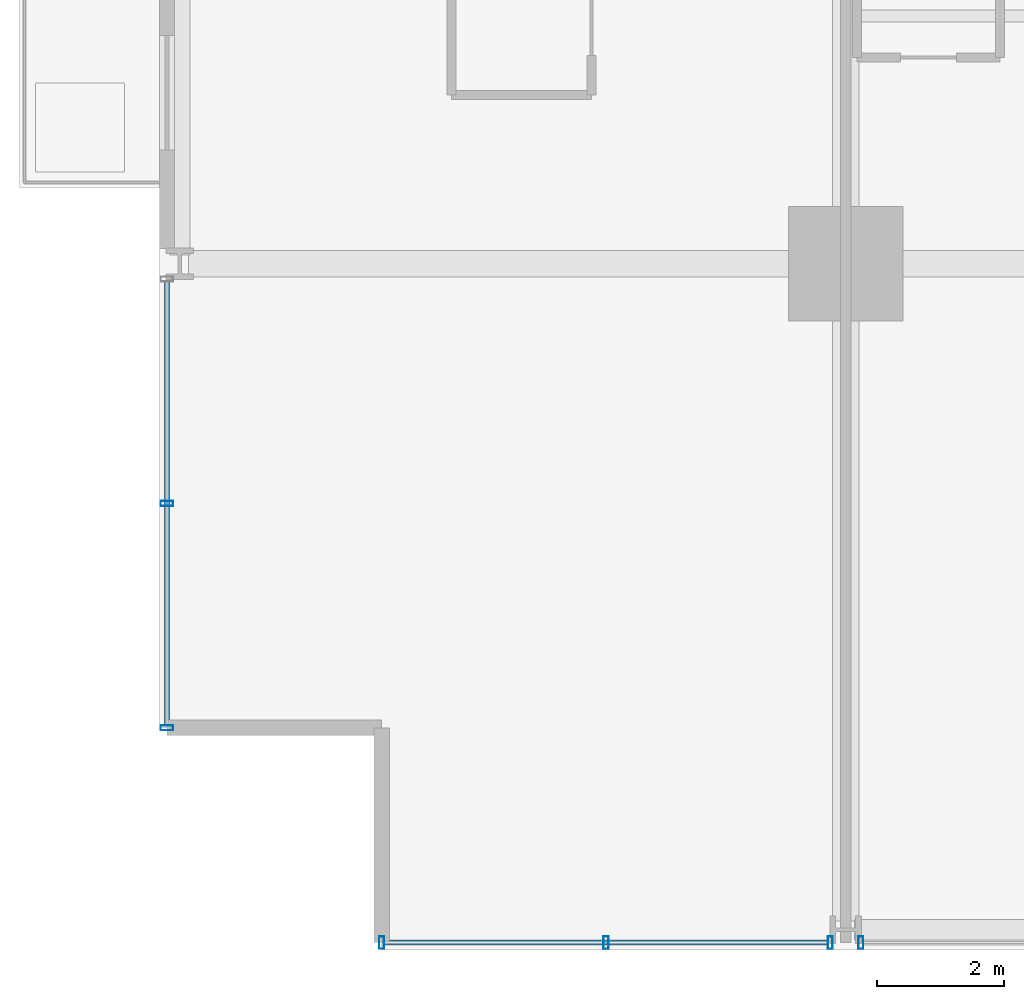
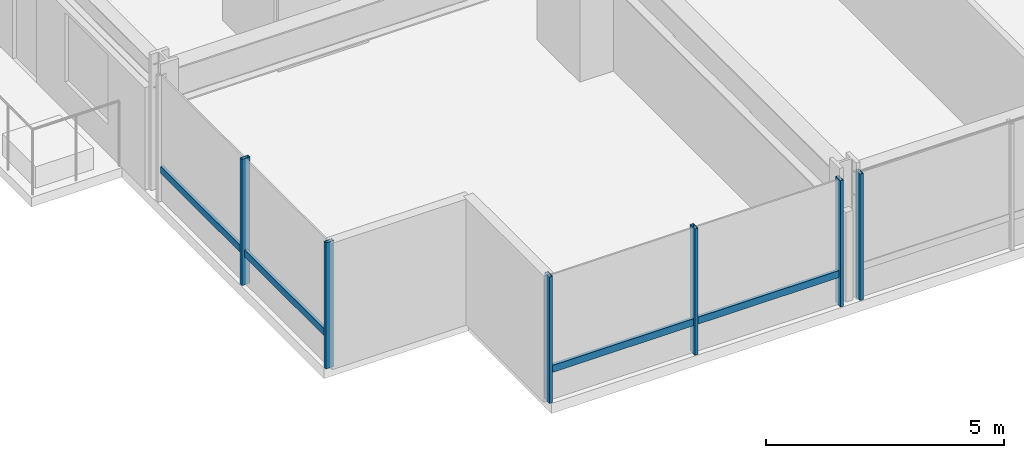
# One storey, part 2 of 39: 8 members, 3 elements without a shape of their own.
"""IFC4 building model written with IfcOpenShell, lengths in metres."""

from ifc_helpers import new_model, si_unit, direction, frame, origin, origin_2d, place, context, subcontext, project, spatial, hollow_rectangle, extrude, material, layer, layer_set, material_profile, profile_set, type_object, element, aggregate, save


model = new_model("IFC4")

# Units and contexts
model_context = context("Model", 3, precision=1e-05, world=origin(), true_north=direction((0.0, 1.0)))
body_context = subcontext(model_context, "Body", "Model", "MODEL_VIEW")
ifc_project = project(units=[si_unit("LENGTHUNIT", "METRE"), si_unit("AREAUNIT", "SQUARE_METRE"), si_unit("VOLUMEUNIT", "CUBIC_METRE"), si_unit("PLANEANGLEUNIT", "RADIAN"), si_unit("MASSUNIT", "GRAM", prefix="KILO")], contexts=[model_context])

# Site, building, storey
site_placement = place(None, origin())
site = spatial("IfcSite", under=ifc_project, at=site_placement, CompositionType="ELEMENT")
building_placement = place(site_placement, origin())
building = spatial("IfcBuilding", under=site, at=building_placement, Name="Drelvath Grand Hotel", CompositionType="ELEMENT")
storey_placement = place(building_placement, frame((0.0, 0.0, 54.199951171875)))
storey = spatial("IfcBuildingStorey", under=building, at=storey_placement, Name="L12", CompositionType="ELEMENT", Elevation=54.199951171875)

# Curtain wall, member
ifc_material = material(Name="Warm Bronze Anodised Aluminium Frame", Category="aluminium")
ifc_layer = layer(ifc_material, 0.199951171875)
ifc_layer_set = layer_set([ifc_layer], Name="Warm Bronze Anodised Aluminium Frame")
curtain_wall_type = type_object("IfcCurtainWallType", Name="Stick Curtain Wall CW-02 Warm Bronze Low-Rise", PredefinedType="NOTDEFINED", material=ifc_layer_set)
curtain_wall_1_placement = place(storey_placement, origin())
curtain_wall_1 = element("IfcCurtainWall", 1, at=curtain_wall_1_placement, inside=storey, type_object=curtain_wall_type, Name="L12 CW-02 Curtain Wall CW02-L12-WS1", PredefinedType="NOTDEFINED")
ifc_material_profile_1 = material_profile(ifc_material, hollow_rectangle(XDim=0.074951171875, YDim=0.179931640625, WallThickness=0.0048828125, at=origin_2d()), Name="HSS180X75X5")
ifc_profile_set_1 = profile_set([ifc_material_profile_1], Name="Warm Bronze Anodised Aluminium Frame")
member_type_1 = type_object("IfcMemberType", Name="Curtain Wall Horizontal Transom CW-02 HSS180X75X5", PredefinedType="USERDEFINED", material=ifc_profile_set_1)
member_1_placement = place(storey_placement, frame((-26.8798828125, 3.5400390625, 0.81005859375), z_axis=(0.0, 1.0, 0.0), x_axis=(-1.0, 0.0, 0.0)))
member_1 = element("IfcMember", 2, at=member_1_placement, type_object=member_type_1, Name="CW02-L12-WS1 Sill Transom", ObjectType="TRANSOM", PredefinedType="USERDEFINED", context=body_context, shape_type="SweptSolid", body=[
    extrude(hollow_rectangle(XDim=0.074951171875, YDim=0.179931640625, WallThickness=0.0048828125, at=origin_2d()), origin(), (0.0, 0.0, 1.0), 6.97900390625),
])

curtain_wall_2_placement = place(storey_placement, origin())
curtain_wall_2 = element("IfcCurtainWall", 3, at=curtain_wall_2_placement, inside=storey, type_object=curtain_wall_type, Name="L12 CW-02 Curtain Wall CW02-L12-SW1", PredefinedType="NOTDEFINED")
member_2_placement = place(storey_placement, frame((-16.48095703125, 0.1201171875, 0.81005859375), z_axis=(-1.0, 0.0, 0.0), x_axis=(0.0, -1.0, 0.0)))
member_2 = element("IfcMember", 4, at=member_2_placement, type_object=member_type_1, Name="CW02-L12-SW1 Sill Transom", ObjectType="TRANSOM", PredefinedType="USERDEFINED", context=body_context, shape_type="SweptSolid", body=[
    extrude(hollow_rectangle(XDim=0.074951171875, YDim=0.179931640625, WallThickness=0.0048828125, at=origin_2d()), origin(), (0.0, 0.0, 1.0), 6.97900390625),
])

# Member
ifc_material_profile_2 = material_profile(ifc_material, hollow_rectangle(XDim=0.080078125, YDim=0.199951171875, WallThickness=0.0048828125, at=origin_2d()), Name="HSS200X80X5")
ifc_profile_set_2 = profile_set([ifc_material_profile_2], Name="Warm Bronze Anodised Aluminium Frame")
member_type_2 = type_object("IfcMemberType", Name="Curtain Wall Vertical Mullion CW-02 HSS200X80X5", PredefinedType="MULLION", material=ifc_profile_set_2)
member_3_placement = place(storey_placement, frame((-26.8798828125, 3.5, 0.0), z_axis=(0.0, 0.0, 1.0), x_axis=(0.0, 1.0, 0.0)))
member_3 = element("IfcMember", 5, at=member_3_placement, type_object=member_type_2, Name="CW02-L12-WS1 Mullion 1", PredefinedType="MULLION", context=body_context, shape_type="SweptSolid", body=[
    extrude(hollow_rectangle(XDim=0.080078125, YDim=0.199951171875, WallThickness=0.0048828125, at=origin_2d()), origin(), (0.0, 0.0, 1.0), 3.239990234375),
])

member_4_placement = place(storey_placement, frame((-26.8798828125, 7.029541015625, 0.0), z_axis=(0.0, 0.0, 1.0), x_axis=(0.0, 1.0, 0.0)))
member_4 = element("IfcMember", 6, at=member_4_placement, type_object=member_type_2, Name="CW02-L12-WS1 Mullion 2", PredefinedType="MULLION", context=body_context, shape_type="SweptSolid", body=[
    extrude(hollow_rectangle(XDim=0.080078125, YDim=0.199951171875, WallThickness=0.0048828125, at=origin_2d()), origin(), (0.0, 0.0, 1.0), 3.239990234375),
])

aggregate(curtain_wall_1, [member_3, member_4, member_1])

member_5_placement = place(storey_placement, frame((-16.44091796875, 0.1201171875, 0.0), z_axis=(0.0, 0.0, 1.0), x_axis=(1.0, 0.0, 0.0)))
member_5 = element("IfcMember", 7, at=member_5_placement, type_object=member_type_2, Name="CW02-L12-SW1 Mullion 1", PredefinedType="MULLION", context=body_context, shape_type="SweptSolid", body=[
    extrude(hollow_rectangle(XDim=0.080078125, YDim=0.199951171875, WallThickness=0.0048828125, at=origin_2d()), origin(), (0.0, 0.0, 1.0), 3.239990234375),
])

member_6_placement = place(storey_placement, frame((-19.970458984375, 0.1201171875, 0.0), z_axis=(0.0, 0.0, 1.0), x_axis=(1.0, 0.0, 0.0)))
member_6 = element("IfcMember", 8, at=member_6_placement, type_object=member_type_2, Name="CW02-L12-SW1 Mullion 2", PredefinedType="MULLION", context=body_context, shape_type="SweptSolid", body=[
    extrude(hollow_rectangle(XDim=0.080078125, YDim=0.199951171875, WallThickness=0.0048828125, at=origin_2d()), origin(), (0.0, 0.0, 1.0), 3.239990234375),
])

member_7_placement = place(storey_placement, frame((-23.5, 0.1201171875, 0.0), z_axis=(0.0, 0.0, 1.0), x_axis=(1.0, 0.0, 0.0)))
member_7 = element("IfcMember", 9, at=member_7_placement, type_object=member_type_2, Name="CW02-L12-SW1 Mullion 3", PredefinedType="MULLION", context=body_context, shape_type="SweptSolid", body=[
    extrude(hollow_rectangle(XDim=0.080078125, YDim=0.199951171875, WallThickness=0.0048828125, at=origin_2d()), origin(), (0.0, 0.0, 1.0), 3.239990234375),
])

aggregate(curtain_wall_2, [member_5, member_6, member_7, member_2])

# Curtain wall, member
curtain_wall_3_placement = place(storey_placement, origin())
curtain_wall_3 = element("IfcCurtainWall", 10, at=curtain_wall_3_placement, inside=storey, type_object=curtain_wall_type, Name="L12 CW-02 Curtain Wall CW02-L12-SW2", PredefinedType="NOTDEFINED")
member_8_placement = place(storey_placement, frame((-15.958984375, 0.1201171875, 0.0), z_axis=(0.0, 0.0, 1.0), x_axis=(1.0, 0.0, 0.0)))
member_8 = element("IfcMember", 11, at=member_8_placement, type_object=member_type_2, Name="CW02-L12-SW2 Mullion 3", PredefinedType="MULLION", context=body_context, shape_type="SweptSolid", body=[
    extrude(hollow_rectangle(XDim=0.080078125, YDim=0.199951171875, WallThickness=0.0048828125, at=origin_2d()), origin(), (0.0, 0.0, 1.0), 3.239990234375),
])
aggregate(curtain_wall_3, [member_8])

save(model, "model.ifc")
